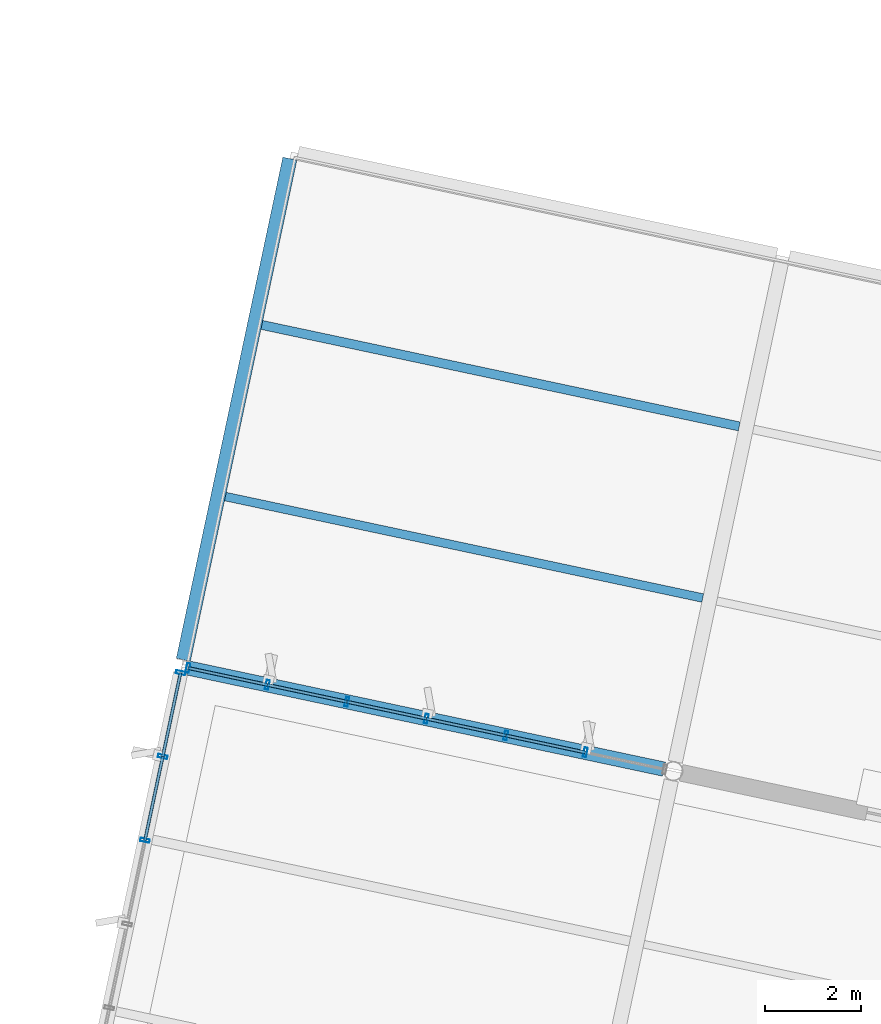
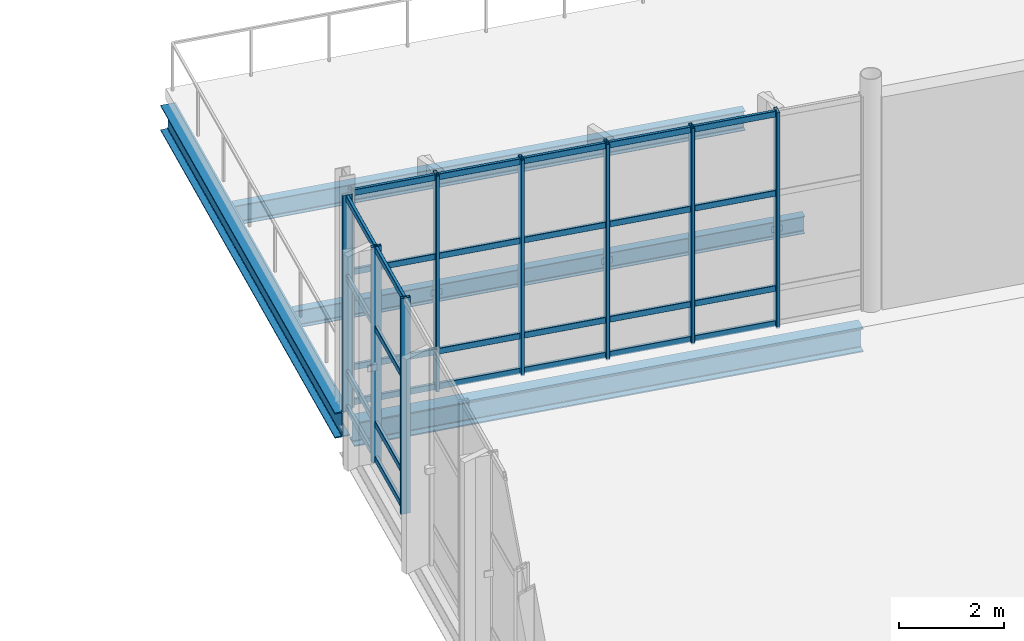
# One storey, part 40 of 176: 37 members, 4 beams, 2 elements without a shape of their own.
"""IFC4 building model written with IfcOpenShell, lengths in metres."""

import ifcopenshell
import ifcopenshell.guid

model = None  # the IFC model being written
_history = None  # IfcOwnerHistory: only IFC2X3 demands one
_inside = {}  # id of a spatial element -> (the spatial element, [elements in it])
_under = {}  # id of a project, library or spatial element -> (it, [spatial elements below it])
_declared = {}  # id of a project -> (the project, [libraries it declares])
_typed = {}  # id of a type object -> (the type object, [elements of that type])
_made_of = {}  # id of a material, layer set ... -> (it, [elements and type objects made of it])


def new_model(schema):
    """Start an empty IFC model of exactly this schema.

    Asked for "IFC4X3", IfcOpenShell would pick the latest addendum, in which some entities
    have other attributes; the version numbers below select the first issue.
    IFC2X3 requires an IfcOwnerHistory on every rooted entity: one is made here for all.
    """
    global model, _history
    if schema == "IFC4X3":
        model = ifcopenshell.file(schema_version=(4, 3, 0, 0))
    else:
        model = ifcopenshell.file(schema=schema)
    _inside.clear()
    _under.clear()
    _declared.clear()
    _typed.clear()
    _made_of.clear()
    _history = None
    if model.schema == "IFC2X3":
        org = make("IfcOrganization", Name="unknown")
        user = make(
            "IfcPersonAndOrganization",
            ThePerson=make("IfcPerson", FamilyName="unknown"),
            TheOrganization=org,
        )
        app = make(
            "IfcApplication",
            ApplicationDeveloper=org,
            Version="unknown",
            ApplicationFullName="unknown",
            ApplicationIdentifier="unknown",
        )
        _history = make(
            "IfcOwnerHistory",
            OwningUser=user,
            OwningApplication=app,
            ChangeAction="ADDED",
            CreationDate=0,
        )
    return model


def make(cls, **values):
    """One entity of the class cls with the attributes given. An attribute that is None is left unset."""
    return model.create_entity(
        cls, **{name: value for name, value in values.items() if value is not None}
    )


def rooted(cls, **values):
    """An entity with a GlobalId (a new one), such as an element, a storey or a relation."""
    return make(cls, GlobalId=ifcopenshell.guid.new(), OwnerHistory=_history, **values)


def si_unit(unit_type, name, prefix=None):
    """IfcSIUnit, for example si_unit("LENGTHUNIT", "METRE", prefix="MILLI")."""
    return make("IfcSIUnit", UnitType=unit_type, Prefix=prefix, Name=name)


def assignment(units):
    """IfcUnitAssignment: the units of a project."""
    return None if units is None else make("IfcUnitAssignment", Units=units)


def point(xyz):
    """IfcCartesianPoint."""
    return None if xyz is None else make("IfcCartesianPoint", Coordinates=xyz)


def direction(xyz):
    """IfcDirection."""
    return None if xyz is None else make("IfcDirection", DirectionRatios=xyz)


def frame(location, z_axis=None, x_axis=None):
    """IfcAxis2Placement3D, a coordinate frame: its origin and axes. An axis left out is left unset."""
    return make(
        "IfcAxis2Placement3D",
        Location=point(location),
        Axis=direction(z_axis),
        RefDirection=direction(x_axis),
    )


def frame_2d(location, x_axis=None):
    """IfcAxis2Placement2D, a coordinate frame in the plane: its origin and x axis."""
    return make(
        "IfcAxis2Placement2D", Location=point(location), RefDirection=direction(x_axis)
    )


def origin():
    """The frame at (0, 0, 0) with its axes left unset."""
    return frame((0.0, 0.0, 0.0))


def origin_2d():
    """The frame at (0, 0) in the plane with its x axis left unset."""
    return frame_2d((0.0, 0.0))


def place(relative_to, where):
    """IfcLocalPlacement: puts the frame where relative to a parent placement (None: the world)."""
    return make(
        "IfcLocalPlacement", PlacementRelTo=relative_to, RelativePlacement=where
    )


def context(
    kind, dimensions, precision=None, world=None, true_north=None, identifier=None
):
    """IfcGeometricRepresentationContext, for example the 3D "Model" context."""
    return make(
        "IfcGeometricRepresentationContext",
        ContextIdentifier=identifier,
        ContextType=kind,
        CoordinateSpaceDimension=dimensions,
        Precision=precision,
        WorldCoordinateSystem=world,
        TrueNorth=true_north,
    )


def subcontext(parent, identifier, kind, view, scale=None):
    """IfcGeometricRepresentationSubContext, for example "Body" below "Model"."""
    return make(
        "IfcGeometricRepresentationSubContext",
        ContextIdentifier=identifier,
        ContextType=kind,
        ParentContext=parent,
        TargetScale=scale,
        TargetView=view,
    )


def project(units=None, contexts=None):
    """IfcProject with its units and contexts."""
    return rooted(
        "IfcProject",
        Name="project",
        RepresentationContexts=contexts,
        UnitsInContext=assignment(units),
    )


def spatial(cls, under=None, at=None, **own):
    """A site, building, storey or space (cls), placed at a placement, below another one or the project."""
    s = rooted(cls, ObjectPlacement=at, **own)
    if under is not None:
        _under.setdefault(under.id(), (under, []))[1].append(s)
    return s


def profile(cls, at=None, kind="AREA", **sizes):
    """A parametric profile (cls). Its sizes go by their IFC names, for example OverallWidth=200.0."""
    return make(cls, ProfileType=kind, Position=at, **sizes)


def hollow_rectangle(**sizes):
    """IfcRectangleHollowProfileDef."""
    return profile("IfcRectangleHollowProfileDef", **sizes)


def i_section(**sizes):
    """IfcIShapeProfileDef."""
    return profile("IfcIShapeProfileDef", **sizes)


def extrude(swept, where, along, depth):
    """IfcExtrudedAreaSolid: the profile swept, set in the frame where, extruded along a direction by depth."""
    return make(
        "IfcExtrudedAreaSolid",
        SweptArea=swept,
        Position=where,
        ExtrudedDirection=direction(along),
        Depth=depth,
    )


def shape(context_of_items, identifier, shape_type, items):
    """IfcShapeRepresentation: the items that make up one representation, for example the "Body"."""
    return make(
        "IfcShapeRepresentation",
        ContextOfItems=context_of_items,
        RepresentationIdentifier=identifier,
        RepresentationType=shape_type,
        Items=items,
    )


def material(Name=None, Category=None):
    """IfcMaterial."""
    return make("IfcMaterial", Name=Name, Category=Category)


def layer(
    of_material, thickness, ventilated=None, Name=None, Category=None, Priority=None
):
    """IfcMaterialLayer: one layer of a wall or slab, of a material (None: an air gap)."""
    return make(
        "IfcMaterialLayer",
        Material=of_material,
        LayerThickness=thickness,
        IsVentilated=ventilated,
        Name=Name,
        Category=Category,
        Priority=Priority,
    )


def layer_set(layers, Name=None):
    """IfcMaterialLayerSet."""
    return make("IfcMaterialLayerSet", MaterialLayers=layers, LayerSetName=Name)


def material_profile(
    of_material, cross_section, Name=None, Category=None, Priority=None
):
    """IfcMaterialProfile: a cross section and its material."""
    return make(
        "IfcMaterialProfile",
        Name=Name,
        Material=of_material,
        Profile=cross_section,
        Priority=Priority,
        Category=Category,
    )


def profile_set(profiles, Name=None, composite=None):
    """IfcMaterialProfileSet."""
    return make(
        "IfcMaterialProfileSet",
        Name=Name,
        MaterialProfiles=profiles,
        CompositeProfile=composite,
    )


def made_of(thing, what):
    """Note that an element or type object is made of a material, layer set ...; save() writes the relation."""
    if what is not None:
        _made_of.setdefault(what.id(), (what, []))[1].append(thing)
    return thing


def type_object(cls, material=None, **own):
    """A type object (cls), such as IfcWallType, which elements share."""
    return made_of(rooted(cls, **own), material)


def element(
    cls,
    number,
    at=None,
    inside=None,
    cuts=None,
    type_object=None,
    material=None,
    context=None,
    identifier="Body",
    shape_type=None,
    held_by="IfcProductDefinitionShape",
    body=None,
    shapes=None,
    **own,
):
    """One element of the class cls, such as IfcWall. Its Tag is "e" and its number.

    at: its placement. inside: the storey or other place that contains it. cuts: it is an
    opening in that element (IfcRelVoidsElement). A single representation is given by context,
    identifier, shape_type and body (its items); several are given by shapes. held_by: the class
    of the entity that holds the representations. save() writes the other relations.
    """
    e = rooted(cls, Tag="e%d" % number, ObjectPlacement=at, **own)
    if body is not None:
        shapes = [shape(context, identifier, shape_type, body)]
    if shapes is not None:
        e.Representation = make(held_by, Representations=shapes)
    if inside is not None:
        _inside.setdefault(inside.id(), (inside, []))[1].append(e)
    if cuts is not None:
        rooted(
            "IfcRelVoidsElement", RelatingBuildingElement=cuts, RelatedOpeningElement=e
        )
    if type_object is not None:
        _typed.setdefault(type_object.id(), (type_object, []))[1].append(e)
    return made_of(e, material)


def aggregate(whole, parts):
    """IfcRelAggregates: a whole, such as a stair, and the parts it consists of."""
    return rooted("IfcRelAggregates", RelatingObject=whole, RelatedObjects=parts)


def save(model, path):
    """Write the relations noted so far, then the file.

    IfcRelAggregates (storeys below a building ...), IfcRelContainedInSpatialStructure (elements
    in a storey), IfcRelDefinesByType, IfcRelAssociatesMaterial and IfcRelDeclares: one each for
    every whole, place, type object, material and project.
    """
    for whole, parts in _under.values():
        aggregate(whole, parts)
    for where, things in _inside.values():
        rooted(
            "IfcRelContainedInSpatialStructure",
            RelatedElements=things,
            RelatingStructure=where,
        )
    for kind, things in _typed.values():
        rooted("IfcRelDefinesByType", RelatedObjects=things, RelatingType=kind)
    for what, things in _made_of.values():
        rooted("IfcRelAssociatesMaterial", RelatedObjects=things, RelatingMaterial=what)
    for by, libraries in _declared.values():
        rooted("IfcRelDeclares", RelatingContext=by, RelatedDefinitions=libraries)
    model.write(path)


model = new_model("IFC4")

# Units and contexts
model_context = context("Model", 3, precision=1e-05, world=origin(), true_north=direction((0.0, 1.0)))
body_context = subcontext(model_context, "Body", "Model", "MODEL_VIEW")
ifc_project = project(units=[si_unit("LENGTHUNIT", "METRE"), si_unit("AREAUNIT", "SQUARE_METRE"), si_unit("VOLUMEUNIT", "CUBIC_METRE"), si_unit("PLANEANGLEUNIT", "RADIAN"), si_unit("MASSUNIT", "GRAM", prefix="KILO")], contexts=[model_context])

# Site, building, storey
site_placement = place(None, origin())
site = spatial("IfcSite", under=ifc_project, at=site_placement, CompositionType="ELEMENT")
building_placement = place(site_placement, origin())
building = spatial("IfcBuilding", under=site, at=building_placement, Name="Khorjan Park Terminus", CompositionType="ELEMENT")
storey_placement = place(building_placement, frame((0.0, 0.0, 6.0)))
storey = spatial("IfcBuildingStorey", under=building, at=storey_placement, Name="L01", CompositionType="ELEMENT", Elevation=6.0)

# Beams
ifc_material_1 = material(Name="Steel S355", Category="steel")
ifc_material_profile_1 = material_profile(ifc_material_1, i_section(OverallWidth=0.3, OverallDepth=0.59, WebThickness=0.013, FlangeThickness=0.025, FilletRadius=0.027, at=origin_2d()), Name="HEA 600")
ifc_profile_set_1 = profile_set([ifc_material_profile_1], Name="Steel S355")
beam_type_1 = type_object("IfcBeamType", Name="BM-HEA600", PredefinedType="BEAM", material=ifc_profile_set_1)
beam_1_placement = place(storey_placement, frame((0.8912, 74.4207, -0.555), z_axis=(0.207916823947, 0.978146509639, 0.0), x_axis=(-0.978146509639, 0.207916823947, 0.0)))
element("IfcBeam", 1, at=beam_1_placement, inside=storey, type_object=beam_type_1, Name="Primary skew-grid floor girder SB-A60 (L01)", PredefinedType="BEAM", context=body_context, shape_type="SweptSolid", body=[
    extrude(i_section(OverallWidth=0.3, OverallDepth=0.59, WebThickness=0.013, FlangeThickness=0.025, FilletRadius=0.027, at=origin_2d()), origin(), (0.0, 0.0, 1.0), 10.7101),
])
ifc_material_profile_2 = material_profile(ifc_material_1, i_section(OverallWidth=0.3, OverallDepth=0.55, WebThickness=0.015, FlangeThickness=0.029, FilletRadius=0.027, at=origin_2d()), Name="HEB 550")
ifc_profile_set_2 = profile_set([ifc_material_profile_2], Name="Steel S355")
beam_type_2 = type_object("IfcBeamType", Name="BM-HEB550", PredefinedType="BEAM", material=ifc_profile_set_2)
beam_2_placement = place(storey_placement, frame((1.0029, 74.2487, -0.635), z_axis=(0.978148165063, -0.20790903584, 0.0), x_axis=(0.20790903584, 0.978148165063, 0.0)))
element("IfcBeam", 2, at=beam_2_placement, inside=storey, type_object=beam_type_2, Name="Primary skew-grid floor girder SB-B55 (L01)", PredefinedType="BEAM", context=body_context, shape_type="SweptSolid", body=[
    extrude(i_section(OverallWidth=0.3, OverallDepth=0.55, WebThickness=0.015, FlangeThickness=0.029, FilletRadius=0.027, at=origin_2d()), origin(), (0.0, 0.0, 1.0), 10.1568),
])
ifc_material_profile_3 = material_profile(ifc_material_1, i_section(OverallWidth=0.18, OverallDepth=0.4, WebThickness=0.0086, FlangeThickness=0.0135, FilletRadius=0.021, at=origin_2d()), Name="IPE 400")
ifc_profile_set_3 = profile_set([ifc_material_profile_3], Name="Steel S355")
beam_type_3 = type_object("IfcBeamType", Name="JS-IPE400", PredefinedType="JOIST", material=ifc_profile_set_3)
beam_3_placement = place(storey_placement, frame((1.7702, 77.8343, -0.46), z_axis=(0.978147562282, -0.207911871719, 0.0), x_axis=(0.207911871719, 0.978147562282, 0.0)))
element("IfcBeam", 3, at=beam_3_placement, inside=storey, type_object=beam_type_3, Name="Secondary composite floor joist SJ-40 (L01)", PredefinedType="JOIST", context=body_context, shape_type="SweptSolid", body=[
    extrude(i_section(OverallWidth=0.18, OverallDepth=0.4, WebThickness=0.0086, FlangeThickness=0.0135, FilletRadius=0.021, at=origin_2d()), origin(), (0.0, 0.0, 1.0), 10.2),
])
ifc_material_profile_4 = material_profile(ifc_material_1, i_section(OverallWidth=0.19, OverallDepth=0.45, WebThickness=0.0094, FlangeThickness=0.0146, FilletRadius=0.021, at=origin_2d()), Name="IPE 450")
ifc_profile_set_4 = profile_set([ifc_material_profile_4], Name="Steel S355")
beam_type_4 = type_object("IfcBeamType", Name="JS-IPE450", PredefinedType="JOIST", material=ifc_profile_set_4)
beam_4_placement = place(storey_placement, frame((2.5325, 81.4207, -0.485), z_axis=(0.978147562282, -0.207911871719, 0.0), x_axis=(0.207911871719, 0.978147562282, 0.0)))
element("IfcBeam", 4, at=beam_4_placement, inside=storey, type_object=beam_type_4, Name="Secondary composite floor joist SJ-45 (L01)", PredefinedType="JOIST", context=body_context, shape_type="SweptSolid", body=[
    extrude(i_section(OverallWidth=0.19, OverallDepth=0.45, WebThickness=0.0094, FlangeThickness=0.0146, FilletRadius=0.021, at=origin_2d()), origin(), (0.0, 0.0, 1.0), 10.2),
])

# Curtain wall, members
ifc_material_2 = material(Name="Anodized Bronze Aluminium", Category="aluminium")
ifc_layer = layer(ifc_material_2, 0.22)
ifc_layer_set = layer_set([ifc_layer], Name="Anodized Bronze Aluminium")
curtain_wall_type = type_object("IfcCurtainWallType", Name="CW-PAV-C", PredefinedType="NOTDEFINED", material=ifc_layer_set)
curtain_wall_1_placement = place(storey_placement, origin())
curtain_wall_1 = element("IfcCurtainWall", 5, at=curtain_wall_1_placement, inside=storey, type_object=curtain_wall_type, Name="Unitized curtain wall CW-C (CW-V4-N-L01-B03)", PredefinedType="NOTDEFINED")
ifc_material_profile_5 = material_profile(ifc_material_2, hollow_rectangle(XDim=0.07, YDim=0.2, WallThickness=0.005, InnerFilletRadius=0.005, OuterFilletRadius=0.01, at=origin_2d()), Name="ALM 70x200x5")
ifc_profile_set_5 = profile_set([ifc_material_profile_5], Name="Anodized Bronze Aluminium")
member_type_1 = type_object("IfcMemberType", Name="ML-ALM-200", PredefinedType="MULLION", material=ifc_profile_set_5)
member_1_placement = place(storey_placement, frame((9.2919, 72.4868, -0.035), z_axis=(0.0, 0.0, 1.0), x_axis=(-0.978146425179, 0.207917221289, 0.0)))
member_1 = element("IfcMember", 6, at=member_1_placement, type_object=member_type_1, Name="Curtain-wall mullion ML-20 (CW-V4-N-L01-B03-1)", PredefinedType="MULLION", context=body_context, shape_type="SweptSolid", body=[
    extrude(hollow_rectangle(XDim=0.07, YDim=0.2, WallThickness=0.005, InnerFilletRadius=0.005, OuterFilletRadius=0.01, at=origin_2d()), origin(), (0.0, 0.0, 1.0), 5.0),
])
member_2_placement = place(storey_placement, frame((7.6312, 72.8398, -0.035), z_axis=(0.0, 0.0, 1.0), x_axis=(-0.978146425179, 0.207917221289, 0.0)))
member_2 = element("IfcMember", 7, at=member_2_placement, type_object=member_type_1, Name="Curtain-wall mullion ML-20 (CW-V4-N-L01-B03-2)", PredefinedType="MULLION", context=body_context, shape_type="SweptSolid", body=[
    extrude(hollow_rectangle(XDim=0.07, YDim=0.2, WallThickness=0.005, InnerFilletRadius=0.005, OuterFilletRadius=0.01, at=origin_2d()), origin(), (0.0, 0.0, 1.0), 5.0),
])
member_3_placement = place(storey_placement, frame((5.9704, 73.1928, -0.035), z_axis=(0.0, 0.0, 1.0), x_axis=(-0.978146425179, 0.207917221289, 0.0)))
member_3 = element("IfcMember", 8, at=member_3_placement, type_object=member_type_1, Name="Curtain-wall mullion ML-20 (CW-V4-N-L01-B03-3)", PredefinedType="MULLION", context=body_context, shape_type="SweptSolid", body=[
    extrude(hollow_rectangle(XDim=0.07, YDim=0.2, WallThickness=0.005, InnerFilletRadius=0.005, OuterFilletRadius=0.01, at=origin_2d()), origin(), (0.0, 0.0, 1.0), 5.0),
])
member_4_placement = place(storey_placement, frame((4.3096, 73.5459, -0.035), z_axis=(0.0, 0.0, 1.0), x_axis=(-0.978146425179, 0.207917221289, 0.0)))
member_4 = element("IfcMember", 9, at=member_4_placement, type_object=member_type_1, Name="Curtain-wall mullion ML-20 (CW-V4-N-L01-B03-4)", PredefinedType="MULLION", context=body_context, shape_type="SweptSolid", body=[
    extrude(hollow_rectangle(XDim=0.07, YDim=0.2, WallThickness=0.005, InnerFilletRadius=0.005, OuterFilletRadius=0.01, at=origin_2d()), origin(), (0.0, 0.0, 1.0), 5.0),
])
member_5_placement = place(storey_placement, frame((2.6489, 73.8989, -0.035), z_axis=(0.0, 0.0, 1.0), x_axis=(-0.978146425179, 0.207917221289, 0.0)))
member_5 = element("IfcMember", 10, at=member_5_placement, type_object=member_type_1, Name="Curtain-wall mullion ML-20 (CW-V4-N-L01-B03-5)", PredefinedType="MULLION", context=body_context, shape_type="SweptSolid", body=[
    extrude(hollow_rectangle(XDim=0.07, YDim=0.2, WallThickness=0.005, InnerFilletRadius=0.005, OuterFilletRadius=0.01, at=origin_2d()), origin(), (0.0, 0.0, 1.0), 5.0),
])
member_6_placement = place(storey_placement, frame((0.9881, 74.2519, -0.035), z_axis=(0.0, 0.0, 1.0), x_axis=(-0.978146425179, 0.207917221289, 0.0)))
member_6 = element("IfcMember", 11, at=member_6_placement, type_object=member_type_1, Name="Curtain-wall mullion ML-20 (CW-V4-N-L01-B03-6)", PredefinedType="MULLION", context=body_context, shape_type="SweptSolid", body=[
    extrude(hollow_rectangle(XDim=0.07, YDim=0.2, WallThickness=0.005, InnerFilletRadius=0.005, OuterFilletRadius=0.01, at=origin_2d()), origin(), (0.0, 0.0, 1.0), 5.0),
])

curtain_wall_2_placement = place(storey_placement, origin())
curtain_wall_2 = element("IfcCurtainWall", 12, at=curtain_wall_2_placement, inside=storey, type_object=curtain_wall_type, Name="Unitized curtain wall CW-C (CW-V4-W-L01-B01)", PredefinedType="NOTDEFINED")
member_7_placement = place(storey_placement, frame((0.8341, 74.1518, -0.035), z_axis=(0.0, 0.0, 1.0), x_axis=(-0.207906749457, -0.978148651039, 0.0)))
member_7 = element("IfcMember", 13, at=member_7_placement, type_object=member_type_1, Name="Curtain-wall mullion ML-20 (CW-V4-W-L01-B01-0)", PredefinedType="MULLION", context=body_context, shape_type="SweptSolid", body=[
    extrude(hollow_rectangle(XDim=0.07, YDim=0.2, WallThickness=0.005, InnerFilletRadius=0.005, OuterFilletRadius=0.01, at=origin_2d()), origin(), (0.0, 0.0, 1.0), 5.0),
])
member_8_placement = place(storey_placement, frame((0.4619, 72.4008, -0.035), z_axis=(0.0, 0.0, 1.0), x_axis=(-0.207906749457, -0.978148651039, 0.0)))
member_8 = element("IfcMember", 14, at=member_8_placement, type_object=member_type_1, Name="Curtain-wall mullion ML-20 (CW-V4-W-L01-B01-1)", PredefinedType="MULLION", context=body_context, shape_type="SweptSolid", body=[
    extrude(hollow_rectangle(XDim=0.07, YDim=0.2, WallThickness=0.005, InnerFilletRadius=0.005, OuterFilletRadius=0.01, at=origin_2d()), origin(), (0.0, 0.0, 1.0), 5.0),
])
member_9_placement = place(storey_placement, frame((0.0898, 70.6499, -0.035), z_axis=(0.0, 0.0, 1.0), x_axis=(-0.207906749457, -0.978148651039, 0.0)))
member_9 = element("IfcMember", 15, at=member_9_placement, type_object=member_type_1, Name="Curtain-wall mullion ML-20 (CW-V4-W-L01-B01-2)", PredefinedType="MULLION", context=body_context, shape_type="SweptSolid", body=[
    extrude(hollow_rectangle(XDim=0.07, YDim=0.2, WallThickness=0.005, InnerFilletRadius=0.005, OuterFilletRadius=0.01, at=origin_2d()), origin(), (0.0, 0.0, 1.0), 5.0),
])

# Member
ifc_material_profile_6 = material_profile(ifc_material_2, hollow_rectangle(XDim=0.065, YDim=0.14, WallThickness=0.004, InnerFilletRadius=0.004, OuterFilletRadius=0.008, at=origin_2d()), Name="ALT 65x140x4")
ifc_profile_set_6 = profile_set([ifc_material_profile_6], Name="Anodized Bronze Aluminium")
member_type_2 = type_object("IfcMemberType", Name="TR-ALT-140", PredefinedType="USERDEFINED", material=ifc_profile_set_6)
member_10_placement = place(storey_placement, frame((9.2919, 72.4868, 0.04), z_axis=(-0.978146724147, 0.207915814791, 0.0), x_axis=(-0.207915814791, -0.978146724147, 0.0)))
member_10 = element("IfcMember", 16, at=member_10_placement, type_object=member_type_2, Name="Curtain-wall transom TR-14 (CW-V4-N-L01-B03-1-1)", ObjectType="TRANSOM", PredefinedType="USERDEFINED", context=body_context, shape_type="SweptSolid", body=[
    extrude(hollow_rectangle(XDim=0.065, YDim=0.14, WallThickness=0.004, InnerFilletRadius=0.004, OuterFilletRadius=0.008, at=origin_2d()), origin(), (0.0, 0.0, 1.0), 1.6978),
])

member_11_placement = place(storey_placement, frame((9.2919, 72.4868, 0.85), z_axis=(-0.978146724147, 0.207915814791, 0.0), x_axis=(-0.207915814791, -0.978146724147, 0.0)))
member_11 = element("IfcMember", 17, at=member_11_placement, type_object=member_type_2, Name="Curtain-wall transom TR-14 (CW-V4-N-L01-B03-1-2)", ObjectType="TRANSOM", PredefinedType="USERDEFINED", context=body_context, shape_type="SweptSolid", body=[
    extrude(hollow_rectangle(XDim=0.065, YDim=0.14, WallThickness=0.004, InnerFilletRadius=0.004, OuterFilletRadius=0.008, at=origin_2d()), origin(), (0.0, 0.0, 1.0), 1.6978),
])

member_12_placement = place(storey_placement, frame((9.2919, 72.4868, 3.0566), z_axis=(-0.978146724147, 0.207915814791, 0.0), x_axis=(-0.207915814791, -0.978146724147, 0.0)))
member_12 = element("IfcMember", 18, at=member_12_placement, type_object=member_type_2, Name="Curtain-wall transom TR-14 (CW-V4-N-L01-B03-1-3)", ObjectType="TRANSOM", PredefinedType="USERDEFINED", context=body_context, shape_type="SweptSolid", body=[
    extrude(hollow_rectangle(XDim=0.065, YDim=0.14, WallThickness=0.004, InnerFilletRadius=0.004, OuterFilletRadius=0.008, at=origin_2d()), origin(), (0.0, 0.0, 1.0), 1.6978),
])

member_13_placement = place(storey_placement, frame((9.2919, 72.4868, 4.89), z_axis=(-0.978146724147, 0.207915814791, 0.0), x_axis=(-0.207915814791, -0.978146724147, 0.0)))
member_13 = element("IfcMember", 19, at=member_13_placement, type_object=member_type_2, Name="Curtain-wall transom TR-14 (CW-V4-N-L01-B03-1-4)", ObjectType="TRANSOM", PredefinedType="USERDEFINED", context=body_context, shape_type="SweptSolid", body=[
    extrude(hollow_rectangle(XDim=0.065, YDim=0.14, WallThickness=0.004, InnerFilletRadius=0.004, OuterFilletRadius=0.008, at=origin_2d()), origin(), (0.0, 0.0, 1.0), 1.6978),
])

member_14_placement = place(storey_placement, frame((7.6312, 72.8398, 0.04), z_axis=(-0.9781492701, 0.207903836913, 0.0), x_axis=(-0.207903836913, -0.9781492701, 0.0)))
member_14 = element("IfcMember", 20, at=member_14_placement, type_object=member_type_2, Name="Curtain-wall transom TR-14 (CW-V4-N-L01-B03-2-1)", ObjectType="TRANSOM", PredefinedType="USERDEFINED", context=body_context, shape_type="SweptSolid", body=[
    extrude(hollow_rectangle(XDim=0.065, YDim=0.14, WallThickness=0.004, InnerFilletRadius=0.004, OuterFilletRadius=0.008, at=origin_2d()), origin(), (0.0, 0.0, 1.0), 1.6979),
])

member_15_placement = place(storey_placement, frame((7.6312, 72.8398, 0.85), z_axis=(-0.9781492701, 0.207903836913, 0.0), x_axis=(-0.207903836913, -0.9781492701, 0.0)))
member_15 = element("IfcMember", 21, at=member_15_placement, type_object=member_type_2, Name="Curtain-wall transom TR-14 (CW-V4-N-L01-B03-2-2)", ObjectType="TRANSOM", PredefinedType="USERDEFINED", context=body_context, shape_type="SweptSolid", body=[
    extrude(hollow_rectangle(XDim=0.065, YDim=0.14, WallThickness=0.004, InnerFilletRadius=0.004, OuterFilletRadius=0.008, at=origin_2d()), origin(), (0.0, 0.0, 1.0), 1.6979),
])

member_16_placement = place(storey_placement, frame((7.6312, 72.8398, 3.0566), z_axis=(-0.9781492701, 0.207903836913, 0.0), x_axis=(-0.207903836913, -0.9781492701, 0.0)))
member_16 = element("IfcMember", 22, at=member_16_placement, type_object=member_type_2, Name="Curtain-wall transom TR-14 (CW-V4-N-L01-B03-2-3)", ObjectType="TRANSOM", PredefinedType="USERDEFINED", context=body_context, shape_type="SweptSolid", body=[
    extrude(hollow_rectangle(XDim=0.065, YDim=0.14, WallThickness=0.004, InnerFilletRadius=0.004, OuterFilletRadius=0.008, at=origin_2d()), origin(), (0.0, 0.0, 1.0), 1.6979),
])

member_17_placement = place(storey_placement, frame((7.6312, 72.8398, 4.89), z_axis=(-0.9781492701, 0.207903836913, 0.0), x_axis=(-0.207903836913, -0.9781492701, 0.0)))
member_17 = element("IfcMember", 23, at=member_17_placement, type_object=member_type_2, Name="Curtain-wall transom TR-14 (CW-V4-N-L01-B03-2-4)", ObjectType="TRANSOM", PredefinedType="USERDEFINED", context=body_context, shape_type="SweptSolid", body=[
    extrude(hollow_rectangle(XDim=0.065, YDim=0.14, WallThickness=0.004, InnerFilletRadius=0.004, OuterFilletRadius=0.008, at=origin_2d()), origin(), (0.0, 0.0, 1.0), 1.6979),
])

member_18_placement = place(storey_placement, frame((5.9704, 73.1928, 0.04), z_axis=(-0.97813729142, 0.207960186416, 0.0), x_axis=(-0.207960186416, -0.97813729142, 0.0)))
member_18 = element("IfcMember", 24, at=member_18_placement, type_object=member_type_2, Name="Curtain-wall transom TR-14 (CW-V4-N-L01-B03-3-1)", ObjectType="TRANSOM", PredefinedType="USERDEFINED", context=body_context, shape_type="SweptSolid", body=[
    extrude(hollow_rectangle(XDim=0.065, YDim=0.14, WallThickness=0.004, InnerFilletRadius=0.004, OuterFilletRadius=0.008, at=origin_2d()), origin(), (0.0, 0.0, 1.0), 1.6979),
])

member_19_placement = place(storey_placement, frame((5.9704, 73.1928, 0.85), z_axis=(-0.97813729142, 0.207960186416, 0.0), x_axis=(-0.207960186416, -0.97813729142, 0.0)))
member_19 = element("IfcMember", 25, at=member_19_placement, type_object=member_type_2, Name="Curtain-wall transom TR-14 (CW-V4-N-L01-B03-3-2)", ObjectType="TRANSOM", PredefinedType="USERDEFINED", context=body_context, shape_type="SweptSolid", body=[
    extrude(hollow_rectangle(XDim=0.065, YDim=0.14, WallThickness=0.004, InnerFilletRadius=0.004, OuterFilletRadius=0.008, at=origin_2d()), origin(), (0.0, 0.0, 1.0), 1.6979),
])

member_20_placement = place(storey_placement, frame((5.9704, 73.1928, 3.0566), z_axis=(-0.97813729142, 0.207960186416, 0.0), x_axis=(-0.207960186416, -0.97813729142, 0.0)))
member_20 = element("IfcMember", 26, at=member_20_placement, type_object=member_type_2, Name="Curtain-wall transom TR-14 (CW-V4-N-L01-B03-3-3)", ObjectType="TRANSOM", PredefinedType="USERDEFINED", context=body_context, shape_type="SweptSolid", body=[
    extrude(hollow_rectangle(XDim=0.065, YDim=0.14, WallThickness=0.004, InnerFilletRadius=0.004, OuterFilletRadius=0.008, at=origin_2d()), origin(), (0.0, 0.0, 1.0), 1.6979),
])

member_21_placement = place(storey_placement, frame((5.9704, 73.1928, 4.89), z_axis=(-0.97813729142, 0.207960186416, 0.0), x_axis=(-0.207960186416, -0.97813729142, 0.0)))
member_21 = element("IfcMember", 27, at=member_21_placement, type_object=member_type_2, Name="Curtain-wall transom TR-14 (CW-V4-N-L01-B03-3-4)", ObjectType="TRANSOM", PredefinedType="USERDEFINED", context=body_context, shape_type="SweptSolid", body=[
    extrude(hollow_rectangle(XDim=0.065, YDim=0.14, WallThickness=0.004, InnerFilletRadius=0.004, OuterFilletRadius=0.008, at=origin_2d()), origin(), (0.0, 0.0, 1.0), 1.6979),
])

member_22_placement = place(storey_placement, frame((4.3096, 73.5459, 0.04), z_axis=(-0.978146724147, 0.207915814791, 0.0), x_axis=(-0.207915814791, -0.978146724147, 0.0)))
member_22 = element("IfcMember", 28, at=member_22_placement, type_object=member_type_2, Name="Curtain-wall transom TR-14 (CW-V4-N-L01-B03-4-1)", ObjectType="TRANSOM", PredefinedType="USERDEFINED", context=body_context, shape_type="SweptSolid", body=[
    extrude(hollow_rectangle(XDim=0.065, YDim=0.14, WallThickness=0.004, InnerFilletRadius=0.004, OuterFilletRadius=0.008, at=origin_2d()), origin(), (0.0, 0.0, 1.0), 1.6978),
])

member_23_placement = place(storey_placement, frame((4.3096, 73.5459, 0.85), z_axis=(-0.978146724147, 0.207915814791, 0.0), x_axis=(-0.207915814791, -0.978146724147, 0.0)))
member_23 = element("IfcMember", 29, at=member_23_placement, type_object=member_type_2, Name="Curtain-wall transom TR-14 (CW-V4-N-L01-B03-4-2)", ObjectType="TRANSOM", PredefinedType="USERDEFINED", context=body_context, shape_type="SweptSolid", body=[
    extrude(hollow_rectangle(XDim=0.065, YDim=0.14, WallThickness=0.004, InnerFilletRadius=0.004, OuterFilletRadius=0.008, at=origin_2d()), origin(), (0.0, 0.0, 1.0), 1.6978),
])

member_24_placement = place(storey_placement, frame((4.3096, 73.5459, 3.0566), z_axis=(-0.978146724147, 0.207915814791, 0.0), x_axis=(-0.207915814791, -0.978146724147, 0.0)))
member_24 = element("IfcMember", 30, at=member_24_placement, type_object=member_type_2, Name="Curtain-wall transom TR-14 (CW-V4-N-L01-B03-4-3)", ObjectType="TRANSOM", PredefinedType="USERDEFINED", context=body_context, shape_type="SweptSolid", body=[
    extrude(hollow_rectangle(XDim=0.065, YDim=0.14, WallThickness=0.004, InnerFilletRadius=0.004, OuterFilletRadius=0.008, at=origin_2d()), origin(), (0.0, 0.0, 1.0), 1.6978),
])

member_25_placement = place(storey_placement, frame((4.3096, 73.5459, 4.89), z_axis=(-0.978146724147, 0.207915814791, 0.0), x_axis=(-0.207915814791, -0.978146724147, 0.0)))
member_25 = element("IfcMember", 31, at=member_25_placement, type_object=member_type_2, Name="Curtain-wall transom TR-14 (CW-V4-N-L01-B03-4-4)", ObjectType="TRANSOM", PredefinedType="USERDEFINED", context=body_context, shape_type="SweptSolid", body=[
    extrude(hollow_rectangle(XDim=0.065, YDim=0.14, WallThickness=0.004, InnerFilletRadius=0.004, OuterFilletRadius=0.008, at=origin_2d()), origin(), (0.0, 0.0, 1.0), 1.6978),
])

member_26_placement = place(storey_placement, frame((2.6489, 73.8989, 0.04), z_axis=(-0.9781492701, 0.207903836913, 0.0), x_axis=(-0.207903836913, -0.9781492701, 0.0)))
member_26 = element("IfcMember", 32, at=member_26_placement, type_object=member_type_2, Name="Curtain-wall transom TR-14 (CW-V4-N-L01-B03-5-1)", ObjectType="TRANSOM", PredefinedType="USERDEFINED", context=body_context, shape_type="SweptSolid", body=[
    extrude(hollow_rectangle(XDim=0.065, YDim=0.14, WallThickness=0.004, InnerFilletRadius=0.004, OuterFilletRadius=0.008, at=origin_2d()), origin(), (0.0, 0.0, 1.0), 1.6979),
])

member_27_placement = place(storey_placement, frame((2.6489, 73.8989, 0.85), z_axis=(-0.9781492701, 0.207903836913, 0.0), x_axis=(-0.207903836913, -0.9781492701, 0.0)))
member_27 = element("IfcMember", 33, at=member_27_placement, type_object=member_type_2, Name="Curtain-wall transom TR-14 (CW-V4-N-L01-B03-5-2)", ObjectType="TRANSOM", PredefinedType="USERDEFINED", context=body_context, shape_type="SweptSolid", body=[
    extrude(hollow_rectangle(XDim=0.065, YDim=0.14, WallThickness=0.004, InnerFilletRadius=0.004, OuterFilletRadius=0.008, at=origin_2d()), origin(), (0.0, 0.0, 1.0), 1.6979),
])

member_28_placement = place(storey_placement, frame((2.6489, 73.8989, 3.0566), z_axis=(-0.9781492701, 0.207903836913, 0.0), x_axis=(-0.207903836913, -0.9781492701, 0.0)))
member_28 = element("IfcMember", 34, at=member_28_placement, type_object=member_type_2, Name="Curtain-wall transom TR-14 (CW-V4-N-L01-B03-5-3)", ObjectType="TRANSOM", PredefinedType="USERDEFINED", context=body_context, shape_type="SweptSolid", body=[
    extrude(hollow_rectangle(XDim=0.065, YDim=0.14, WallThickness=0.004, InnerFilletRadius=0.004, OuterFilletRadius=0.008, at=origin_2d()), origin(), (0.0, 0.0, 1.0), 1.6979),
])

member_29_placement = place(storey_placement, frame((2.6489, 73.8989, 4.89), z_axis=(-0.9781492701, 0.207903836913, 0.0), x_axis=(-0.207903836913, -0.9781492701, 0.0)))
member_29 = element("IfcMember", 35, at=member_29_placement, type_object=member_type_2, Name="Curtain-wall transom TR-14 (CW-V4-N-L01-B03-5-4)", ObjectType="TRANSOM", PredefinedType="USERDEFINED", context=body_context, shape_type="SweptSolid", body=[
    extrude(hollow_rectangle(XDim=0.065, YDim=0.14, WallThickness=0.004, InnerFilletRadius=0.004, OuterFilletRadius=0.008, at=origin_2d()), origin(), (0.0, 0.0, 1.0), 1.6979),
])

aggregate(curtain_wall_1, [member_1, member_2, member_3, member_4, member_5, member_6, member_10, member_11, member_12, member_13, member_14, member_15, member_16, member_17, member_18, member_19, member_20, member_21, member_22, member_23, member_24, member_25, member_26, member_27, member_28, member_29])

member_30_placement = place(storey_placement, frame((0.8341, 74.1518, 0.04), z_axis=(-0.207918885104, -0.978146071513, 0.0), x_axis=(0.978146071513, -0.207918885104, 0.0)))
member_30 = element("IfcMember", 36, at=member_30_placement, type_object=member_type_2, Name="Curtain-wall transom TR-14 (CW-V4-W-L01-B01-0-1)", ObjectType="TRANSOM", PredefinedType="USERDEFINED", context=body_context, shape_type="SweptSolid", body=[
    extrude(hollow_rectangle(XDim=0.065, YDim=0.14, WallThickness=0.004, InnerFilletRadius=0.004, OuterFilletRadius=0.008, at=origin_2d()), origin(), (0.0, 0.0, 1.0), 1.7901),
])

member_31_placement = place(storey_placement, frame((0.8341, 74.1518, 0.85), z_axis=(-0.207918885104, -0.978146071513, 0.0), x_axis=(0.978146071513, -0.207918885104, 0.0)))
member_31 = element("IfcMember", 37, at=member_31_placement, type_object=member_type_2, Name="Curtain-wall transom TR-14 (CW-V4-W-L01-B01-0-2)", ObjectType="TRANSOM", PredefinedType="USERDEFINED", context=body_context, shape_type="SweptSolid", body=[
    extrude(hollow_rectangle(XDim=0.065, YDim=0.14, WallThickness=0.004, InnerFilletRadius=0.004, OuterFilletRadius=0.008, at=origin_2d()), origin(), (0.0, 0.0, 1.0), 1.7901),
])

member_32_placement = place(storey_placement, frame((0.8341, 74.1518, 3.0566), z_axis=(-0.207918885104, -0.978146071513, 0.0), x_axis=(0.978146071513, -0.207918885104, 0.0)))
member_32 = element("IfcMember", 38, at=member_32_placement, type_object=member_type_2, Name="Curtain-wall transom TR-14 (CW-V4-W-L01-B01-0-3)", ObjectType="TRANSOM", PredefinedType="USERDEFINED", context=body_context, shape_type="SweptSolid", body=[
    extrude(hollow_rectangle(XDim=0.065, YDim=0.14, WallThickness=0.004, InnerFilletRadius=0.004, OuterFilletRadius=0.008, at=origin_2d()), origin(), (0.0, 0.0, 1.0), 1.7901),
])

member_33_placement = place(storey_placement, frame((0.8341, 74.1518, 4.89), z_axis=(-0.207918885104, -0.978146071513, 0.0), x_axis=(0.978146071513, -0.207918885104, 0.0)))
member_33 = element("IfcMember", 39, at=member_33_placement, type_object=member_type_2, Name="Curtain-wall transom TR-14 (CW-V4-W-L01-B01-0-4)", ObjectType="TRANSOM", PredefinedType="USERDEFINED", context=body_context, shape_type="SweptSolid", body=[
    extrude(hollow_rectangle(XDim=0.065, YDim=0.14, WallThickness=0.004, InnerFilletRadius=0.004, OuterFilletRadius=0.008, at=origin_2d()), origin(), (0.0, 0.0, 1.0), 1.7901),
])

member_34_placement = place(storey_placement, frame((0.4619, 72.4008, 0.04), z_axis=(-0.207876795883, -0.978155017231, 0.0), x_axis=(0.978155017231, -0.207876795883, 0.0)))
member_34 = element("IfcMember", 40, at=member_34_placement, type_object=member_type_2, Name="Curtain-wall transom TR-14 (CW-V4-W-L01-B01-1-1)", ObjectType="TRANSOM", PredefinedType="USERDEFINED", context=body_context, shape_type="SweptSolid", body=[
    extrude(hollow_rectangle(XDim=0.065, YDim=0.14, WallThickness=0.004, InnerFilletRadius=0.004, OuterFilletRadius=0.008, at=origin_2d()), origin(), (0.0, 0.0, 1.0), 1.79),
])

member_35_placement = place(storey_placement, frame((0.4619, 72.4008, 0.85), z_axis=(-0.207876795883, -0.978155017231, 0.0), x_axis=(0.978155017231, -0.207876795883, 0.0)))
member_35 = element("IfcMember", 41, at=member_35_placement, type_object=member_type_2, Name="Curtain-wall transom TR-14 (CW-V4-W-L01-B01-1-2)", ObjectType="TRANSOM", PredefinedType="USERDEFINED", context=body_context, shape_type="SweptSolid", body=[
    extrude(hollow_rectangle(XDim=0.065, YDim=0.14, WallThickness=0.004, InnerFilletRadius=0.004, OuterFilletRadius=0.008, at=origin_2d()), origin(), (0.0, 0.0, 1.0), 1.79),
])

member_36_placement = place(storey_placement, frame((0.4619, 72.4008, 3.0566), z_axis=(-0.207876795883, -0.978155017231, 0.0), x_axis=(0.978155017231, -0.207876795883, 0.0)))
member_36 = element("IfcMember", 42, at=member_36_placement, type_object=member_type_2, Name="Curtain-wall transom TR-14 (CW-V4-W-L01-B01-1-3)", ObjectType="TRANSOM", PredefinedType="USERDEFINED", context=body_context, shape_type="SweptSolid", body=[
    extrude(hollow_rectangle(XDim=0.065, YDim=0.14, WallThickness=0.004, InnerFilletRadius=0.004, OuterFilletRadius=0.008, at=origin_2d()), origin(), (0.0, 0.0, 1.0), 1.79),
])

member_37_placement = place(storey_placement, frame((0.4619, 72.4008, 4.89), z_axis=(-0.207876795883, -0.978155017231, 0.0), x_axis=(0.978155017231, -0.207876795883, 0.0)))
member_37 = element("IfcMember", 43, at=member_37_placement, type_object=member_type_2, Name="Curtain-wall transom TR-14 (CW-V4-W-L01-B01-1-4)", ObjectType="TRANSOM", PredefinedType="USERDEFINED", context=body_context, shape_type="SweptSolid", body=[
    extrude(hollow_rectangle(XDim=0.065, YDim=0.14, WallThickness=0.004, InnerFilletRadius=0.004, OuterFilletRadius=0.008, at=origin_2d()), origin(), (0.0, 0.0, 1.0), 1.79),
])

aggregate(curtain_wall_2, [member_7, member_8, member_9, member_30, member_31, member_32, member_33, member_34, member_35, member_36, member_37])

save(model, "model.ifc")
